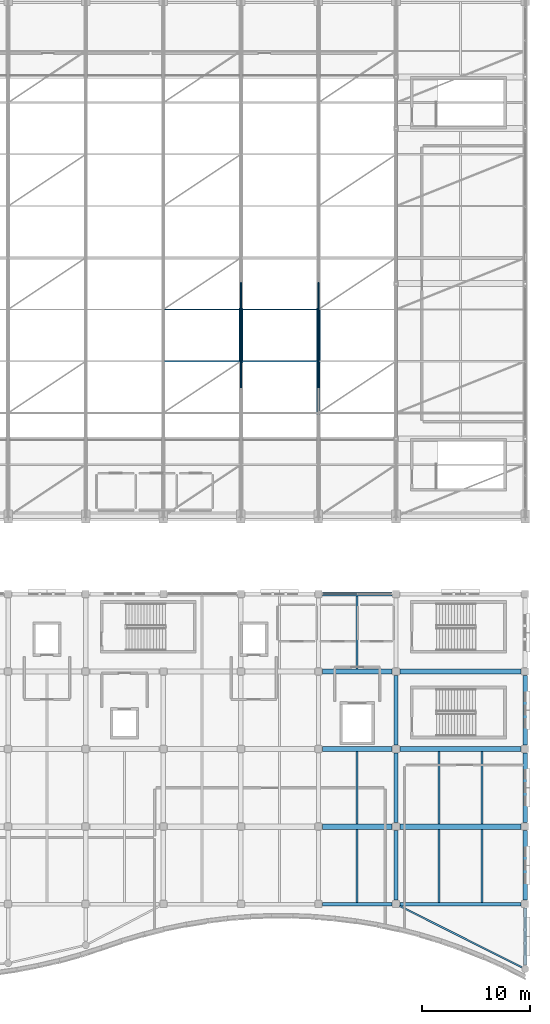
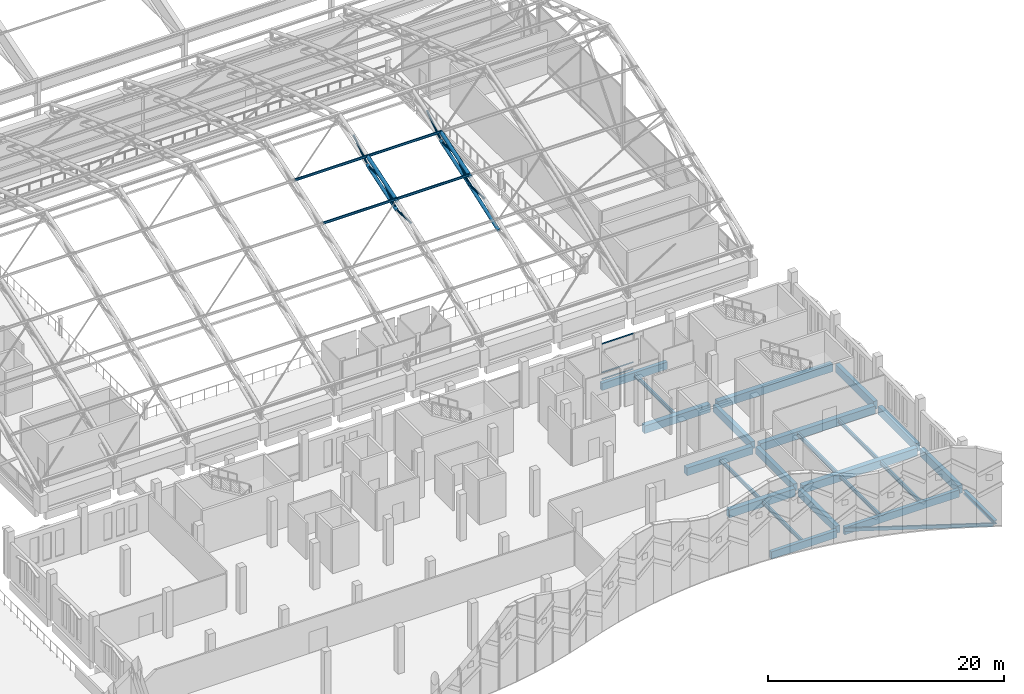
# One storey, part 37 of 116: 24 beams, 20 members, 1 element without a shape of its own.
"""IFC4 building model written with IfcOpenShell, lengths in metres."""

import ifcopenshell
import ifcopenshell.guid

model = None  # the IFC model being written
_history = None  # IfcOwnerHistory: only IFC2X3 demands one
_inside = {}  # id of a spatial element -> (the spatial element, [elements in it])
_under = {}  # id of a project, library or spatial element -> (it, [spatial elements below it])
_declared = {}  # id of a project -> (the project, [libraries it declares])
_typed = {}  # id of a type object -> (the type object, [elements of that type])
_made_of = {}  # id of a material, layer set ... -> (it, [elements and type objects made of it])


def new_model(schema):
    """Start an empty IFC model of exactly this schema.

    Asked for "IFC4X3", IfcOpenShell would pick the latest addendum, in which some entities
    have other attributes; the version numbers below select the first issue.
    IFC2X3 requires an IfcOwnerHistory on every rooted entity: one is made here for all.
    """
    global model, _history
    if schema == "IFC4X3":
        model = ifcopenshell.file(schema_version=(4, 3, 0, 0))
    else:
        model = ifcopenshell.file(schema=schema)
    _inside.clear()
    _under.clear()
    _declared.clear()
    _typed.clear()
    _made_of.clear()
    _history = None
    if model.schema == "IFC2X3":
        org = make("IfcOrganization", Name="unknown")
        user = make(
            "IfcPersonAndOrganization",
            ThePerson=make("IfcPerson", FamilyName="unknown"),
            TheOrganization=org,
        )
        app = make(
            "IfcApplication",
            ApplicationDeveloper=org,
            Version="unknown",
            ApplicationFullName="unknown",
            ApplicationIdentifier="unknown",
        )
        _history = make(
            "IfcOwnerHistory",
            OwningUser=user,
            OwningApplication=app,
            ChangeAction="ADDED",
            CreationDate=0,
        )
    return model


def make(cls, **values):
    """One entity of the class cls with the attributes given. An attribute that is None is left unset."""
    return model.create_entity(
        cls, **{name: value for name, value in values.items() if value is not None}
    )


def rooted(cls, **values):
    """An entity with a GlobalId (a new one), such as an element, a storey or a relation."""
    return make(cls, GlobalId=ifcopenshell.guid.new(), OwnerHistory=_history, **values)


def si_unit(unit_type, name, prefix=None):
    """IfcSIUnit, for example si_unit("LENGTHUNIT", "METRE", prefix="MILLI")."""
    return make("IfcSIUnit", UnitType=unit_type, Prefix=prefix, Name=name)


def assignment(units):
    """IfcUnitAssignment: the units of a project."""
    return None if units is None else make("IfcUnitAssignment", Units=units)


def point(xyz):
    """IfcCartesianPoint."""
    return None if xyz is None else make("IfcCartesianPoint", Coordinates=xyz)


def direction(xyz):
    """IfcDirection."""
    return None if xyz is None else make("IfcDirection", DirectionRatios=xyz)


def frame(location, z_axis=None, x_axis=None):
    """IfcAxis2Placement3D, a coordinate frame: its origin and axes. An axis left out is left unset."""
    return make(
        "IfcAxis2Placement3D",
        Location=point(location),
        Axis=direction(z_axis),
        RefDirection=direction(x_axis),
    )


def frame_2d(location, x_axis=None):
    """IfcAxis2Placement2D, a coordinate frame in the plane: its origin and x axis."""
    return make(
        "IfcAxis2Placement2D", Location=point(location), RefDirection=direction(x_axis)
    )


def origin():
    """The frame at (0, 0, 0) with its axes left unset."""
    return frame((0.0, 0.0, 0.0))


def origin_2d():
    """The frame at (0, 0) in the plane with its x axis left unset."""
    return frame_2d((0.0, 0.0))


def place(relative_to, where):
    """IfcLocalPlacement: puts the frame where relative to a parent placement (None: the world)."""
    return make(
        "IfcLocalPlacement", PlacementRelTo=relative_to, RelativePlacement=where
    )


def context(
    kind, dimensions, precision=None, world=None, true_north=None, identifier=None
):
    """IfcGeometricRepresentationContext, for example the 3D "Model" context."""
    return make(
        "IfcGeometricRepresentationContext",
        ContextIdentifier=identifier,
        ContextType=kind,
        CoordinateSpaceDimension=dimensions,
        Precision=precision,
        WorldCoordinateSystem=world,
        TrueNorth=true_north,
    )


def subcontext(parent, identifier, kind, view, scale=None):
    """IfcGeometricRepresentationSubContext, for example "Body" below "Model"."""
    return make(
        "IfcGeometricRepresentationSubContext",
        ContextIdentifier=identifier,
        ContextType=kind,
        ParentContext=parent,
        TargetScale=scale,
        TargetView=view,
    )


def project(units=None, contexts=None):
    """IfcProject with its units and contexts."""
    return rooted(
        "IfcProject",
        Name="project",
        RepresentationContexts=contexts,
        UnitsInContext=assignment(units),
    )


def spatial(cls, under=None, at=None, **own):
    """A site, building, storey or space (cls), placed at a placement, below another one or the project."""
    s = rooted(cls, ObjectPlacement=at, **own)
    if under is not None:
        _under.setdefault(under.id(), (under, []))[1].append(s)
    return s


def profile(cls, at=None, kind="AREA", **sizes):
    """A parametric profile (cls). Its sizes go by their IFC names, for example OverallWidth=200.0."""
    return make(cls, ProfileType=kind, Position=at, **sizes)


def rectangle(**sizes):
    """IfcRectangleProfileDef."""
    return profile("IfcRectangleProfileDef", **sizes)


def hollow_rectangle(**sizes):
    """IfcRectangleHollowProfileDef."""
    return profile("IfcRectangleHollowProfileDef", **sizes)


def hollow_circle(**sizes):
    """IfcCircleHollowProfileDef."""
    return profile("IfcCircleHollowProfileDef", **sizes)


def i_section(**sizes):
    """IfcIShapeProfileDef."""
    return profile("IfcIShapeProfileDef", **sizes)


def extrude(swept, where, along, depth):
    """IfcExtrudedAreaSolid: the profile swept, set in the frame where, extruded along a direction by depth."""
    return make(
        "IfcExtrudedAreaSolid",
        SweptArea=swept,
        Position=where,
        ExtrudedDirection=direction(along),
        Depth=depth,
    )


def shape(context_of_items, identifier, shape_type, items):
    """IfcShapeRepresentation: the items that make up one representation, for example the "Body"."""
    return make(
        "IfcShapeRepresentation",
        ContextOfItems=context_of_items,
        RepresentationIdentifier=identifier,
        RepresentationType=shape_type,
        Items=items,
    )


def material(Name=None, Category=None):
    """IfcMaterial."""
    return make("IfcMaterial", Name=Name, Category=Category)


def material_profile(
    of_material, cross_section, Name=None, Category=None, Priority=None
):
    """IfcMaterialProfile: a cross section and its material."""
    return make(
        "IfcMaterialProfile",
        Name=Name,
        Material=of_material,
        Profile=cross_section,
        Priority=Priority,
        Category=Category,
    )


def profile_set(profiles, Name=None, composite=None):
    """IfcMaterialProfileSet."""
    return make(
        "IfcMaterialProfileSet",
        Name=Name,
        MaterialProfiles=profiles,
        CompositeProfile=composite,
    )


def made_of(thing, what):
    """Note that an element or type object is made of a material, layer set ...; save() writes the relation."""
    if what is not None:
        _made_of.setdefault(what.id(), (what, []))[1].append(thing)
    return thing


def type_object(cls, material=None, **own):
    """A type object (cls), such as IfcWallType, which elements share."""
    return made_of(rooted(cls, **own), material)


def element(
    cls,
    number,
    at=None,
    inside=None,
    cuts=None,
    type_object=None,
    material=None,
    context=None,
    identifier="Body",
    shape_type=None,
    held_by="IfcProductDefinitionShape",
    body=None,
    shapes=None,
    **own,
):
    """One element of the class cls, such as IfcWall. Its Tag is "e" and its number.

    at: its placement. inside: the storey or other place that contains it. cuts: it is an
    opening in that element (IfcRelVoidsElement). A single representation is given by context,
    identifier, shape_type and body (its items); several are given by shapes. held_by: the class
    of the entity that holds the representations. save() writes the other relations.
    """
    e = rooted(cls, Tag="e%d" % number, ObjectPlacement=at, **own)
    if body is not None:
        shapes = [shape(context, identifier, shape_type, body)]
    if shapes is not None:
        e.Representation = make(held_by, Representations=shapes)
    if inside is not None:
        _inside.setdefault(inside.id(), (inside, []))[1].append(e)
    if cuts is not None:
        rooted(
            "IfcRelVoidsElement", RelatingBuildingElement=cuts, RelatedOpeningElement=e
        )
    if type_object is not None:
        _typed.setdefault(type_object.id(), (type_object, []))[1].append(e)
    return made_of(e, material)


def aggregate(whole, parts):
    """IfcRelAggregates: a whole, such as a stair, and the parts it consists of."""
    return rooted("IfcRelAggregates", RelatingObject=whole, RelatedObjects=parts)


def save(model, path):
    """Write the relations noted so far, then the file.

    IfcRelAggregates (storeys below a building ...), IfcRelContainedInSpatialStructure (elements
    in a storey), IfcRelDefinesByType, IfcRelAssociatesMaterial and IfcRelDeclares: one each for
    every whole, place, type object, material and project.
    """
    for whole, parts in _under.values():
        aggregate(whole, parts)
    for where, things in _inside.values():
        rooted(
            "IfcRelContainedInSpatialStructure",
            RelatedElements=things,
            RelatingStructure=where,
        )
    for kind, things in _typed.values():
        rooted("IfcRelDefinesByType", RelatedObjects=things, RelatingType=kind)
    for what, things in _made_of.values():
        rooted("IfcRelAssociatesMaterial", RelatedObjects=things, RelatingMaterial=what)
    for by, libraries in _declared.values():
        rooted("IfcRelDeclares", RelatingContext=by, RelatedDefinitions=libraries)
    model.write(path)


model = new_model("IFC4")

# Units and contexts
model_context = context("Model", 3, precision=1e-05, world=origin(), true_north=direction((0.0, 1.0)))
body_context = subcontext(model_context, "Body", "Model", "MODEL_VIEW")
ifc_project = project(units=[si_unit("LENGTHUNIT", "METRE"), si_unit("AREAUNIT", "SQUARE_METRE"), si_unit("VOLUMEUNIT", "CUBIC_METRE"), si_unit("PLANEANGLEUNIT", "RADIAN"), si_unit("MASSUNIT", "GRAM", prefix="KILO")], contexts=[model_context])

# Site, building, storey
site_placement = place(None, origin())
site = spatial("IfcSite", under=ifc_project, at=site_placement, CompositionType="ELEMENT")
building_placement = place(site_placement, origin())
building = spatial("IfcBuilding", under=site, at=building_placement, Name="Cendralis Lancet Convention Centre", CompositionType="ELEMENT")
storey_placement = place(building_placement, frame((0.0, 0.0, 15.0)))
storey = spatial("IfcBuildingStorey", under=building, at=storey_placement, Name="L03", CompositionType="ELEMENT", Elevation=15.0)

# Curtain wall, members
ifc_material_1 = material(Name="Anodised bronze architectural aluminium", Category="aluminium")
curtain_wall_type = type_object("IfcCurtainWallType", Name="ARC-CW-CL02", PredefinedType="USERDEFINED", material=ifc_material_1)
curtain_wall_placement = place(storey_placement, origin())
curtain_wall = element("IfcCurtainWall", 1, at=curtain_wall_placement, inside=storey, type_object=curtain_wall_type, Name="L03 Curtain Wall CW-CL2 #190", ObjectType="CURTAIN WALL", PredefinedType="USERDEFINED")
ifc_material_profile_1 = material_profile(ifc_material_1, hollow_rectangle(XDim=0.06005859375, YDim=0.1201171875, WallThickness=0.00390625, at=origin_2d()), Name="AL-TRAN 60x120x4.0")
ifc_profile_set_1 = profile_set([ifc_material_profile_1], Name="Anodised bronze architectural aluminium")
member_type_1 = type_object("IfcMemberType", Name="ARC-CW-TR01", PredefinedType="USERDEFINED", material=ifc_profile_set_1)
member_1_placement = place(storey_placement, frame((190.034912109375, 36.0, 0.06005859375), z_axis=(1.0, 0.0, 0.0), x_axis=(0.0, 1.0, 0.0)))
member_1 = element("IfcMember", 2, at=member_1_placement, type_object=member_type_1, Name="Transom CW2-CW-CL2-L03-190-T0BOT", ObjectType="TRANSOM", PredefinedType="USERDEFINED", context=body_context, shape_type="SweptSolid", body=[
    extrude(hollow_rectangle(XDim=0.06005859375, YDim=0.1201171875, WallThickness=0.00390625, at=origin_2d()), origin(), (0.0, 0.0, 1.0), 3.10498046875),
])
member_2_placement = place(storey_placement, frame((190.034912109375, 36.0, 0.75), z_axis=(1.0, 0.0, 0.0), x_axis=(0.0, 1.0, 0.0)))
member_2 = element("IfcMember", 3, at=member_2_placement, type_object=member_type_1, Name="Transom CW2-CW-CL2-L03-190-T0MID", ObjectType="TRANSOM", PredefinedType="USERDEFINED", context=body_context, shape_type="SweptSolid", body=[
    extrude(hollow_rectangle(XDim=0.06005859375, YDim=0.1201171875, WallThickness=0.00390625, at=origin_2d()), origin(), (0.0, 0.0, 1.0), 3.10498046875),
])
member_3_placement = place(storey_placement, frame((190.034912109375, 36.0, 3.72509765625), z_axis=(1.0, 0.0, 0.0), x_axis=(0.0, 1.0, 0.0)))
member_3 = element("IfcMember", 4, at=member_3_placement, type_object=member_type_1, Name="Transom CW2-CW-CL2-L03-190-T0TOP", ObjectType="TRANSOM", PredefinedType="USERDEFINED", context=body_context, shape_type="SweptSolid", body=[
    extrude(hollow_rectangle(XDim=0.06005859375, YDim=0.1201171875, WallThickness=0.00390625, at=origin_2d()), origin(), (0.0, 0.0, 1.0), 3.10498046875),
])
aggregate(curtain_wall, [member_1, member_2, member_3])

# Beams
ifc_material_2 = material(Name="Concrete G35 (C35/45)", Category="concrete")
ifc_material_profile_2 = material_profile(ifc_material_2, rectangle(XDim=0.5, YDim=0.800048828125, at=origin_2d()), Name="RCB 500x800")
ifc_profile_set_2 = profile_set([ifc_material_profile_2], Name="Concrete G35 (C35/45)")
beam_type_1 = type_object("IfcBeamType", Name="STR-BM-BG09", PredefinedType="BEAM", material=ifc_profile_set_2)
beam_1_placement = place(storey_placement, frame((189.97509765625, 14.39990234375, -0.659912109375), z_axis=(1.0, 0.0, 0.0), x_axis=(0.0, 1.0, 0.0)))
element("IfcBeam", 5, at=beam_1_placement, inside=storey, type_object=beam_type_1, Name="L03 Beam BG09 #0397", PredefinedType="BEAM", context=body_context, shape_type="SweptSolid", body=[
    extrude(rectangle(XDim=0.5, YDim=0.800048828125, at=origin_2d()), origin(), (0.0, 0.0, 1.0), 6.449951171875),
])
beam_2_placement = place(storey_placement, frame((197.175048828125, 14.39990234375, -0.659912109375), z_axis=(1.0, 0.0, 0.0), x_axis=(0.0, 1.0, 0.0)))
element("IfcBeam", 6, at=beam_2_placement, inside=storey, type_object=beam_type_1, Name="L03 Beam BG09 #0398", PredefinedType="BEAM", context=body_context, shape_type="SweptSolid", body=[
    extrude(rectangle(XDim=0.5, YDim=0.800048828125, at=origin_2d()), origin(), (0.0, 0.0, 1.0), 11.25),
])
beam_3_placement = place(storey_placement, frame((189.97509765625, 21.60009765625, -0.659912109375), z_axis=(1.0, 0.0, 0.0), x_axis=(0.0, 1.0, 0.0)))
element("IfcBeam", 7, at=beam_3_placement, inside=storey, type_object=beam_type_1, Name="L03 Beam BG09 #0407", PredefinedType="BEAM", context=body_context, shape_type="SweptSolid", body=[
    extrude(rectangle(XDim=0.5, YDim=0.800048828125, at=origin_2d()), origin(), (0.0, 0.0, 1.0), 6.449951171875),
])
beam_4_placement = place(storey_placement, frame((197.175048828125, 21.60009765625, -0.659912109375), z_axis=(1.0, 0.0, 0.0), x_axis=(0.0, 1.0, 0.0)))
element("IfcBeam", 8, at=beam_4_placement, inside=storey, type_object=beam_type_1, Name="L03 Beam BG09 #0408", PredefinedType="BEAM", context=body_context, shape_type="SweptSolid", body=[
    extrude(rectangle(XDim=0.5, YDim=0.800048828125, at=origin_2d()), origin(), (0.0, 0.0, 1.0), 11.25),
])
beam_5_placement = place(storey_placement, frame((189.97509765625, 28.800048828125, -0.659912109375), z_axis=(1.0, 0.0, 0.0), x_axis=(0.0, 1.0, 0.0)))
element("IfcBeam", 9, at=beam_5_placement, inside=storey, type_object=beam_type_1, Name="L03 Beam BG09 #0417", PredefinedType="BEAM", context=body_context, shape_type="SweptSolid", body=[
    extrude(rectangle(XDim=0.5, YDim=0.800048828125, at=origin_2d()), origin(), (0.0, 0.0, 1.0), 6.449951171875),
])
beam_6_placement = place(storey_placement, frame((197.175048828125, 28.800048828125, -0.659912109375), z_axis=(1.0, 0.0, 0.0), x_axis=(0.0, 1.0, 0.0)))
element("IfcBeam", 10, at=beam_6_placement, inside=storey, type_object=beam_type_1, Name="L03 Beam BG09 #0418", PredefinedType="BEAM", context=body_context, shape_type="SweptSolid", body=[
    extrude(rectangle(XDim=0.5, YDim=0.800048828125, at=origin_2d()), origin(), (0.0, 0.0, 1.0), 11.25),
])
ifc_material_profile_3 = material_profile(ifc_material_2, rectangle(XDim=0.39990234375, YDim=0.75, at=origin_2d()), Name="RCB 400x750")
ifc_profile_set_3 = profile_set([ifc_material_profile_3], Name="Concrete G35 (C35/45)")
beam_type_2 = type_object("IfcBeamType", Name="STR-BM-BG12", PredefinedType="BEAM", material=ifc_profile_set_3)
beam_7_placement = place(storey_placement, frame((196.800048828125, 7.574951171875, -0.635009765625), z_axis=(0.0, 1.0, 0.0), x_axis=(-1.0, 0.0, 0.0)))
element("IfcBeam", 11, at=beam_7_placement, inside=storey, type_object=beam_type_2, Name="L03 Beam BG12 #0463", PredefinedType="BEAM", context=body_context, shape_type="SweptSolid", body=[
    extrude(rectangle(XDim=0.39990234375, YDim=0.75, at=origin_2d()), origin(), (0.0, 0.0, 1.0), 6.449951171875),
])
beam_8_placement = place(storey_placement, frame((196.800048828125, 14.77490234375, -0.635009765625), z_axis=(0.0, 1.0, 0.0), x_axis=(-1.0, 0.0, 0.0)))
element("IfcBeam", 12, at=beam_8_placement, inside=storey, type_object=beam_type_2, Name="L03 Beam BG12 #0464", PredefinedType="BEAM", context=body_context, shape_type="SweptSolid", body=[
    extrude(rectangle(XDim=0.39990234375, YDim=0.75, at=origin_2d()), origin(), (0.0, 0.0, 1.0), 6.4501953125),
])
beam_9_placement = place(storey_placement, frame((196.800048828125, 21.97509765625, -0.635009765625), z_axis=(0.0, 1.0, 0.0), x_axis=(-1.0, 0.0, 0.0)))
element("IfcBeam", 13, at=beam_9_placement, inside=storey, type_object=beam_type_2, Name="L03 Beam BG12 #0465", PredefinedType="BEAM", context=body_context, shape_type="SweptSolid", body=[
    extrude(rectangle(XDim=0.39990234375, YDim=0.75, at=origin_2d()), origin(), (0.0, 0.0, 1.0), 6.449951171875),
])
ifc_material_3 = material(Name="Steel S355", Category="steel")
ifc_material_profile_4 = material_profile(ifc_material_3, i_section(OverallWidth=0.300048828125, OverallDepth=0.389892578125, WebThickness=0.010986328125, FlangeThickness=0.01904296875, FilletRadius=0.027099609375, at=origin_2d()), Name="HEA 400")
ifc_profile_set_4 = profile_set([ifc_material_profile_4], Name="Steel S355")
beam_type_3 = type_object("IfcBeamType", Name="STR-BM-SG14", PredefinedType="BEAM", material=ifc_profile_set_4)
beam_10_placement = place(storey_placement, frame((208.800048828125, 1.558837890625, -0.455078125), z_axis=(0.0, 1.0, 0.0), x_axis=(-1.0, 0.0, 0.0)))
element("IfcBeam", 14, at=beam_10_placement, inside=storey, type_object=beam_type_3, Name="L03 Beam SG14 #1112", PredefinedType="BEAM", context=body_context, shape_type="SweptSolid", body=[
    extrude(i_section(OverallWidth=0.300048828125, OverallDepth=0.389892578125, WebThickness=0.010986328125, FlangeThickness=0.01904296875, FilletRadius=0.027099609375, at=origin_2d()), origin(), (0.0, 0.0, 1.0), 5.26611328125),
])
ifc_material_profile_5 = material_profile(ifc_material_3, i_section(OverallWidth=0.179931640625, OverallDepth=0.39990234375, WebThickness=0.008544921875, FlangeThickness=0.013427734375, FilletRadius=0.02099609375, at=origin_2d()), Name="IPE 400")
ifc_profile_set_5 = profile_set([ifc_material_profile_5], Name="Steel S355")
beam_type_4 = type_object("IfcBeamType", Name="STR-JS-BJ08", PredefinedType="JOIST", material=ifc_profile_set_5)
beam_11_placement = place(storey_placement, frame((193.199951171875, 7.375, -0.4599609375), z_axis=(0.0, 1.0, 0.0), x_axis=(-1.0, 0.0, 0.0)))
element("IfcBeam", 15, at=beam_11_placement, inside=storey, type_object=beam_type_4, Name="L03 Beam BJ08 #0498", PredefinedType="JOIST", context=body_context, shape_type="SweptSolid", body=[
    extrude(i_section(OverallWidth=0.179931640625, OverallDepth=0.39990234375, WebThickness=0.008544921875, FlangeThickness=0.013427734375, FilletRadius=0.02099609375, at=origin_2d()), origin(), (0.0, 0.0, 1.0), 6.77490234375),
])
beam_12_placement = place(storey_placement, frame((193.199951171875, 14.64990234375, -0.4599609375), z_axis=(0.0, 1.0, 0.0), x_axis=(-1.0, 0.0, 0.0)))
element("IfcBeam", 16, at=beam_12_placement, inside=storey, type_object=beam_type_4, Name="L03 Beam BJ08 #0499", PredefinedType="JOIST", context=body_context, shape_type="SweptSolid", body=[
    extrude(i_section(OverallWidth=0.179931640625, OverallDepth=0.39990234375, WebThickness=0.008544921875, FlangeThickness=0.013427734375, FilletRadius=0.02099609375, at=origin_2d()), origin(), (0.0, 0.0, 1.0), 6.7001953125),
])
for number, where, z_axis, x_axis, name in (
    (17, (193.199951171875, 29.050048828125, -0.4599609375), (0.0, 1.0, 0.0), (-1.0, 0.0, 0.0), "L03 Beam BJ08 #0500"),
    (18, (200.800048828125, 7.375, -0.4599609375), (0.0, 1.0, 0.0), (-1.0, 0.0, 0.0), "L03 Beam BJ08 #0501"),
):
    element("IfcBeam", number, at=place(storey_placement, frame(where, z_axis=z_axis, x_axis=x_axis)), inside=storey, type_object=beam_type_4, Name=name, PredefinedType="JOIST", context=body_context, shape_type="SweptSolid", body=[
        extrude(i_section(OverallWidth=0.179931640625, OverallDepth=0.39990234375, WebThickness=0.008544921875, FlangeThickness=0.013427734375, FilletRadius=0.02099609375, at=origin_2d()), origin(), (0.0, 0.0, 1.0), 6.77490234375),
    ])
beam_13_placement = place(storey_placement, frame((200.800048828125, 14.64990234375, -0.4599609375), z_axis=(0.0, 1.0, 0.0), x_axis=(-1.0, 0.0, 0.0)))
element("IfcBeam", 19, at=beam_13_placement, inside=storey, type_object=beam_type_4, Name="L03 Beam BJ08 #0502", PredefinedType="JOIST", context=body_context, shape_type="SweptSolid", body=[
    extrude(i_section(OverallWidth=0.179931640625, OverallDepth=0.39990234375, WebThickness=0.008544921875, FlangeThickness=0.013427734375, FilletRadius=0.02099609375, at=origin_2d()), origin(), (0.0, 0.0, 1.0), 6.7001953125),
])
beam_14_placement = place(storey_placement, frame((204.800048828125, 7.375, -0.4599609375), z_axis=(0.0, 1.0, 0.0), x_axis=(-1.0, 0.0, 0.0)))
element("IfcBeam", 20, at=beam_14_placement, inside=storey, type_object=beam_type_4, Name="L03 Beam BJ08 #0503", PredefinedType="JOIST", context=body_context, shape_type="SweptSolid", body=[
    extrude(i_section(OverallWidth=0.179931640625, OverallDepth=0.39990234375, WebThickness=0.008544921875, FlangeThickness=0.013427734375, FilletRadius=0.02099609375, at=origin_2d()), origin(), (0.0, 0.0, 1.0), 6.77490234375),
])
beam_15_placement = place(storey_placement, frame((204.800048828125, 14.64990234375, -0.4599609375), z_axis=(0.0, 1.0, 0.0), x_axis=(-1.0, 0.0, 0.0)))
element("IfcBeam", 21, at=beam_15_placement, inside=storey, type_object=beam_type_4, Name="L03 Beam BJ08 #0504", PredefinedType="JOIST", context=body_context, shape_type="SweptSolid", body=[
    extrude(i_section(OverallWidth=0.179931640625, OverallDepth=0.39990234375, WebThickness=0.008544921875, FlangeThickness=0.013427734375, FilletRadius=0.02099609375, at=origin_2d()), origin(), (0.0, 0.0, 1.0), 6.7001953125),
])

# Members
ifc_material_profile_6 = material_profile(ifc_material_3, i_section(OverallWidth=0.1201171875, OverallDepth=0.239990234375, WebThickness=0.006103515625, FlangeThickness=0.009765625, FilletRadius=0.014892578125, at=origin_2d()), Name="IPE 240")
ifc_profile_set_6 = profile_set([ifc_material_profile_6], Name="Steel S355")
member_type_2 = type_object("IfcMemberType", Name="STR-PR-PR02", PredefinedType="PURLIN", material=ifc_profile_set_6)
for number, where, z_axis, x_axis, name in (
    (22, (175.199951171875, 57.60009765625, 8.332763671875), (1.0, 0.0, 0.0), (0.0, 1.0, 0.0), "Vault Roof Purlin PR02 V2-05-03"),
    (23, (175.199951171875, 62.39990234375, 9.896484375), (1.0, 0.0, 0.0), (0.0, 1.0, 0.0), "Vault Roof Purlin PR02 V2-05-04"),
):
    element("IfcMember", number, at=place(storey_placement, frame(where, z_axis=z_axis, x_axis=x_axis)), inside=storey, type_object=member_type_2, Name=name, PredefinedType="PURLIN", context=body_context, shape_type="SweptSolid", body=[
        extrude(i_section(OverallWidth=0.1201171875, OverallDepth=0.239990234375, WebThickness=0.006103515625, FlangeThickness=0.009765625, FilletRadius=0.014892578125, at=origin_2d()), origin(), (0.0, 0.0, 1.0), 7.199951171875),
    ])
for number, where, z_axis, x_axis, name in (
    (24, (182.39990234375, 57.60009765625, 8.332763671875), (1.0, 0.0, 0.0), (0.0, 1.0, 0.0), "Vault Roof Purlin PR02 V2-06-03"),
    (25, (182.39990234375, 62.39990234375, 9.896484375), (1.0, 0.0, 0.0), (0.0, 1.0, 0.0), "Vault Roof Purlin PR02 V2-06-04"),
):
    element("IfcMember", number, at=place(storey_placement, frame(where, z_axis=z_axis, x_axis=x_axis)), inside=storey, type_object=member_type_2, Name=name, PredefinedType="PURLIN", context=body_context, shape_type="SweptSolid", body=[
        extrude(i_section(OverallWidth=0.1201171875, OverallDepth=0.239990234375, WebThickness=0.006103515625, FlangeThickness=0.009765625, FilletRadius=0.014892578125, at=origin_2d()), origin(), (0.0, 0.0, 1.0), 7.2001953125),
    ])

# Beams
ifc_material_4 = material(Name="Concrete G40 (C40/50)", Category="concrete")
ifc_material_profile_7 = material_profile(ifc_material_4, rectangle(XDim=0.35009765625, YDim=0.75, at=origin_2d()), Name="RCB 350x750")
ifc_profile_set_7 = profile_set([ifc_material_profile_7], Name="Concrete G40 (C40/50)")
beam_type_5 = type_object("IfcBeamType", Name="STR-SP-SP01", PredefinedType="SPANDREL", material=ifc_profile_set_7)
beam_16_placement = place(storey_placement, frame((189.97509765625, 7.199951171875, -0.635009765625), z_axis=(1.0, 0.0, 0.0), x_axis=(0.0, 1.0, 0.0)))
element("IfcBeam", 26, at=beam_16_placement, inside=storey, type_object=beam_type_5, Name="L03 Beam SP01 #0387", PredefinedType="SPANDREL", context=body_context, shape_type="SweptSolid", body=[
    extrude(rectangle(XDim=0.35009765625, YDim=0.75, at=origin_2d()), origin(), (0.0, 0.0, 1.0), 6.449951171875),
])
beam_17_placement = place(storey_placement, frame((197.175048828125, 7.199951171875, -0.635009765625), z_axis=(1.0, 0.0, 0.0), x_axis=(0.0, 1.0, 0.0)))
element("IfcBeam", 27, at=beam_17_placement, inside=storey, type_object=beam_type_5, Name="L03 Beam SP01 #0388", PredefinedType="SPANDREL", context=body_context, shape_type="SweptSolid", body=[
    extrude(rectangle(XDim=0.35009765625, YDim=0.75, at=origin_2d()), origin(), (0.0, 0.0, 1.0), 11.25),
])
beam_18_placement = place(storey_placement, frame((189.97509765625, 36.0, -0.635009765625), z_axis=(1.0, 0.0, 0.0), x_axis=(0.0, 1.0, 0.0)))
element("IfcBeam", 28, at=beam_18_placement, inside=storey, type_object=beam_type_5, Name="L03 Beam SP01 #0427", PredefinedType="SPANDREL", context=body_context, shape_type="SweptSolid", body=[
    extrude(rectangle(XDim=0.35009765625, YDim=0.75, at=origin_2d()), origin(), (0.0, 0.0, 1.0), 6.449951171875),
])
ifc_material_profile_8 = material_profile(ifc_material_4, rectangle(XDim=0.39990234375, YDim=0.85009765625, at=origin_2d()), Name="RCB 400x850")
ifc_profile_set_8 = profile_set([ifc_material_profile_8], Name="Concrete G40 (C40/50)")
beam_type_6 = type_object("IfcBeamType", Name="STR-SP-SP02", PredefinedType="SPANDREL", material=ifc_profile_set_8)
beam_19_placement = place(storey_placement, frame((208.800048828125, 7.574951171875, -0.68505859375), z_axis=(0.0, 1.0, 0.0), x_axis=(-1.0, 0.0, 0.0)))
element("IfcBeam", 29, at=beam_19_placement, inside=storey, type_object=beam_type_6, Name="L03 Beam SP02 #0467", PredefinedType="SPANDREL", context=body_context, shape_type="SweptSolid", body=[
    extrude(rectangle(XDim=0.39990234375, YDim=0.85009765625, at=origin_2d()), origin(), (0.0, 0.0, 1.0), 6.449951171875),
])
beam_20_placement = place(storey_placement, frame((208.800048828125, 14.77490234375, -0.68505859375), z_axis=(0.0, 1.0, 0.0), x_axis=(-1.0, 0.0, 0.0)))
element("IfcBeam", 30, at=beam_20_placement, inside=storey, type_object=beam_type_6, Name="L03 Beam SP02 #0468", PredefinedType="SPANDREL", context=body_context, shape_type="SweptSolid", body=[
    extrude(rectangle(XDim=0.39990234375, YDim=0.85009765625, at=origin_2d()), origin(), (0.0, 0.0, 1.0), 6.4501953125),
])
beam_21_placement = place(storey_placement, frame((208.800048828125, 21.97509765625, -0.68505859375), z_axis=(0.0, 1.0, 0.0), x_axis=(-1.0, 0.0, 0.0)))
element("IfcBeam", 31, at=beam_21_placement, inside=storey, type_object=beam_type_6, Name="L03 Beam SP02 #0469", PredefinedType="SPANDREL", context=body_context, shape_type="SweptSolid", body=[
    extrude(rectangle(XDim=0.39990234375, YDim=0.85009765625, at=origin_2d()), origin(), (0.0, 0.0, 1.0), 6.449951171875),
])
ifc_material_profile_9 = material_profile(ifc_material_3, hollow_rectangle(XDim=0.14990234375, YDim=0.35009765625, WallThickness=0.012451171875, at=origin_2d()), Name="RHS 350x150x12.5")
ifc_profile_set_9 = profile_set([ifc_material_profile_9], Name="Steel S355")
beam_type_7 = type_object("IfcBeamType", Name="STR-SP-SP04", PredefinedType="SPANDREL", material=ifc_profile_set_9)
beam_22_placement = place(storey_placement, frame((197.13525390625, 7.031982421875, -0.43505859375), z_axis=(0.893941224277, -0.448184211611, 0.0), x_axis=(0.448184211611, 0.893941224277, 0.0)))
element("IfcBeam", 32, at=beam_22_placement, inside=storey, type_object=beam_type_7, Name="L03 Beam SP04 #1127", PredefinedType="SPANDREL", context=body_context, shape_type="SweptSolid", body=[
    extrude(hollow_rectangle(XDim=0.14990234375, YDim=0.35009765625, WallThickness=0.012451171875, at=origin_2d()), origin(), (0.0, 0.0, 1.0), 12.673828125),
])

# Members
ifc_material_profile_10 = material_profile(ifc_material_3, hollow_circle(Radius=0.161865234375, WallThickness=0.01416015625, at=origin_2d()), Name="CHS 323.9x14.2")
ifc_profile_set_10 = profile_set([ifc_material_profile_10], Name="Steel S355")
member_type_3 = type_object("IfcMemberType", Name="STR-TR-BC02-INT", PredefinedType="CHORD", material=ifc_profile_set_10)
member_4_placement = place(storey_placement, frame((182.39990234375, 57.486083984375, 7.215576171875), z_axis=(0.0, 0.948830629051, 0.315785429325), x_axis=(-1.0, 0.0, 0.0)))
element("IfcMember", 33, at=member_4_placement, inside=storey, type_object=member_type_3, Name="ROOF TRUSS AT-V2-07 Bottom Chord 03", PredefinedType="CHORD", context=body_context, shape_type="SweptSolid", body=[
    extrude(hollow_circle(Radius=0.161865234375, WallThickness=0.01416015625, at=origin_2d()), origin(), (0.0, 0.0, 1.0), 5.299072265625),
])
member_5_placement = place(storey_placement, frame((189.60009765625, 52.68701171875, 5.51611328125), z_axis=(0.0, 0.942788943503, 0.333390173833), x_axis=(-1.0, 0.0, 0.0)))
element("IfcMember", 34, at=member_5_placement, inside=storey, type_object=member_type_3, Name="ROOF TRUSS AT-V2-08 Bottom Chord 02", PredefinedType="CHORD", context=body_context, shape_type="SweptSolid", body=[
    extrude(hollow_circle(Radius=0.161865234375, WallThickness=0.01416015625, at=origin_2d()), origin(), (0.0, 0.0, 1.0), 5.3310546875),
])
member_6_placement = place(storey_placement, frame((189.60009765625, 57.486083984375, 7.215576171875), z_axis=(0.0, 0.948830629051, 0.315785429325), x_axis=(-1.0, 0.0, 0.0)))
element("IfcMember", 35, at=member_6_placement, inside=storey, type_object=member_type_3, Name="ROOF TRUSS AT-V2-08 Bottom Chord 03", PredefinedType="CHORD", context=body_context, shape_type="SweptSolid", body=[
    extrude(hollow_circle(Radius=0.161865234375, WallThickness=0.01416015625, at=origin_2d()), origin(), (0.0, 0.0, 1.0), 5.299072265625),
])
ifc_material_profile_11 = material_profile(ifc_material_3, hollow_circle(Radius=0.177734375, WallThickness=0.01611328125, at=origin_2d()), Name="CHS 355.6x16.0")
ifc_profile_set_11 = profile_set([ifc_material_profile_11], Name="Steel S355")
member_type_4 = type_object("IfcMemberType", Name="STR-TR-TC02-INT", PredefinedType="CHORD", material=ifc_profile_set_11)
for number, where, z_axis, x_axis, name in (
    (36, (182.39990234375, 57.48583984375, 8.16552734375), (0.0, 0.950812630265, 0.309766592983), (-1.0, 0.0, 0.0), "ROOF TRUSS AT-V2-07 Top Chord 03"),
    (37, (189.60009765625, 57.48583984375, 8.16552734375), (0.0, 0.950812630265, 0.309766592983), (-1.0, 0.0, 0.0), "ROOF TRUSS AT-V2-08 Top Chord 03"),
):
    element("IfcMember", number, at=place(storey_placement, frame(where, z_axis=z_axis, x_axis=x_axis)), inside=storey, type_object=member_type_4, Name=name, PredefinedType="CHORD", context=body_context, shape_type="SweptSolid", body=[
        extrude(hollow_circle(Radius=0.177734375, WallThickness=0.01611328125, at=origin_2d()), origin(), (0.0, 0.0, 1.0), 5.288330078125),
    ])
ifc_material_profile_12 = material_profile(ifc_material_3, hollow_circle(Radius=0.096923828125, WallThickness=0.008056640625, at=origin_2d()), Name="CHS 193.7x8.0")
ifc_profile_set_12 = profile_set([ifc_material_profile_12], Name="Steel S355")
member_type_5 = type_object("IfcMemberType", Name="STR-TR-WD02-INT", PredefinedType="BRACE", material=ifc_profile_set_12)
member_7_placement = place(storey_placement, frame((182.39990234375, 55.10009765625, 7.375732421875), z_axis=(0.0, 0.998805327149, -0.048866332561), x_axis=(-1.0, 0.0, 0.0)))
element("IfcMember", 38, at=member_7_placement, inside=storey, type_object=member_type_5, Name="ROOF TRUSS AT-V2-07 Warren Web 02-1", PredefinedType="BRACE", context=body_context, shape_type="SweptSolid", body=[
    extrude(hollow_circle(Radius=0.096923828125, WallThickness=0.008056640625, at=origin_2d()), origin(), (0.0, 0.0, 1.0), 2.60302734375),
])
member_8_placement = place(storey_placement, frame((182.39990234375, 57.518798828125, 7.195068359375), z_axis=(0.0, 0.811035686786, 0.584996679273), x_axis=(-1.0, 0.0, 0.0)))
element("IfcMember", 39, at=member_8_placement, inside=storey, type_object=member_type_5, Name="ROOF TRUSS AT-V2-07 Warren Web 03-0", PredefinedType="BRACE", context=body_context, shape_type="SweptSolid", body=[
    extrude(hollow_circle(Radius=0.096923828125, WallThickness=0.008056640625, at=origin_2d()), origin(), (0.0, 0.0, 1.0), 3.1591796875),
])
member_9_placement = place(storey_placement, frame((182.39990234375, 59.900146484375, 8.990234375), z_axis=(0.0, 0.998447632237, -0.055698524939), x_axis=(-1.0, 0.0, 0.0)))
element("IfcMember", 40, at=member_9_placement, inside=storey, type_object=member_type_5, Name="ROOF TRUSS AT-V2-07 Warren Web 03-1", PredefinedType="BRACE", context=body_context, shape_type="SweptSolid", body=[
    extrude(hollow_circle(Radius=0.096923828125, WallThickness=0.008056640625, at=origin_2d()), origin(), (0.0, 0.0, 1.0), 2.603759765625),
])
member_10_placement = place(storey_placement, frame((182.39990234375, 62.317626953125, 8.794189453125), z_axis=(0.0, 0.822876843509, 0.56821976419), x_axis=(-1.0, 0.0, 0.0)))
element("IfcMember", 41, at=member_10_placement, inside=storey, type_object=member_type_5, Name="ROOF TRUSS AT-V2-07 Warren Web 04-0", PredefinedType="BRACE", context=body_context, shape_type="SweptSolid", body=[
    extrude(hollow_circle(Radius=0.096923828125, WallThickness=0.008056640625, at=origin_2d()), origin(), (0.0, 0.0, 1.0), 3.11669921875),
])
member_11_placement = place(storey_placement, frame((189.60009765625, 55.10009765625, 7.375732421875), z_axis=(0.0, 0.998805327149, -0.048866332561), x_axis=(-1.0, 0.0, 0.0)))
element("IfcMember", 42, at=member_11_placement, inside=storey, type_object=member_type_5, Name="ROOF TRUSS AT-V2-08 Warren Web 02-1", PredefinedType="BRACE", context=body_context, shape_type="SweptSolid", body=[
    extrude(hollow_circle(Radius=0.096923828125, WallThickness=0.008056640625, at=origin_2d()), origin(), (0.0, 0.0, 1.0), 2.60302734375),
])
member_12_placement = place(storey_placement, frame((189.60009765625, 57.518798828125, 7.195068359375), z_axis=(0.0, 0.811035686786, 0.584996679273), x_axis=(-1.0, 0.0, 0.0)))
element("IfcMember", 43, at=member_12_placement, inside=storey, type_object=member_type_5, Name="ROOF TRUSS AT-V2-08 Warren Web 03-0", PredefinedType="BRACE", context=body_context, shape_type="SweptSolid", body=[
    extrude(hollow_circle(Radius=0.096923828125, WallThickness=0.008056640625, at=origin_2d()), origin(), (0.0, 0.0, 1.0), 3.1591796875),
])
member_13_placement = place(storey_placement, frame((189.60009765625, 59.900146484375, 8.990234375), z_axis=(0.0, 0.998447632237, -0.055698524939), x_axis=(-1.0, 0.0, 0.0)))
element("IfcMember", 44, at=member_13_placement, inside=storey, type_object=member_type_5, Name="ROOF TRUSS AT-V2-08 Warren Web 03-1", PredefinedType="BRACE", context=body_context, shape_type="SweptSolid", body=[
    extrude(hollow_circle(Radius=0.096923828125, WallThickness=0.008056640625, at=origin_2d()), origin(), (0.0, 0.0, 1.0), 2.603759765625),
])
member_14_placement = place(storey_placement, frame((189.60009765625, 62.317626953125, 8.794189453125), z_axis=(0.0, 0.822876843509, 0.56821976419), x_axis=(-1.0, 0.0, 0.0)))
element("IfcMember", 45, at=member_14_placement, inside=storey, type_object=member_type_5, Name="ROOF TRUSS AT-V2-08 Warren Web 04-0", PredefinedType="BRACE", context=body_context, shape_type="SweptSolid", body=[
    extrude(hollow_circle(Radius=0.096923828125, WallThickness=0.008056640625, at=origin_2d()), origin(), (0.0, 0.0, 1.0), 3.11669921875),
])

save(model, "model.ifc")
